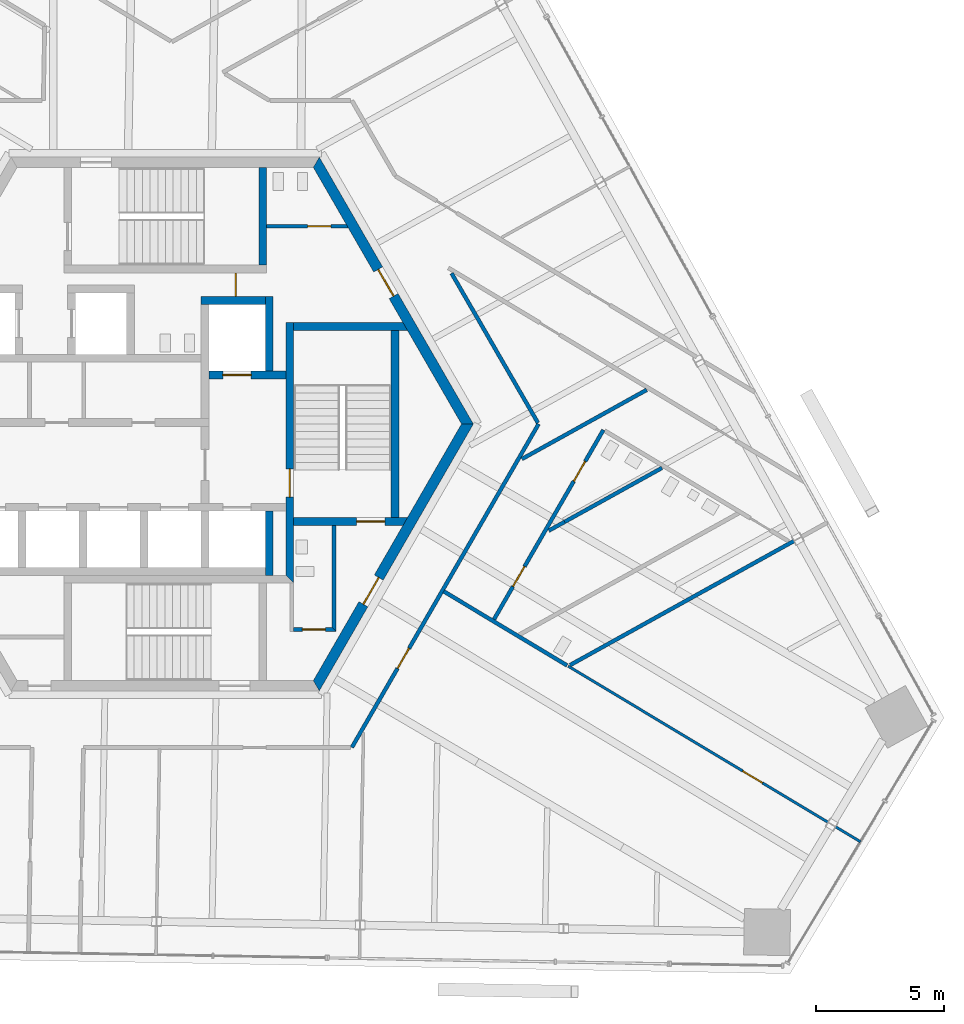
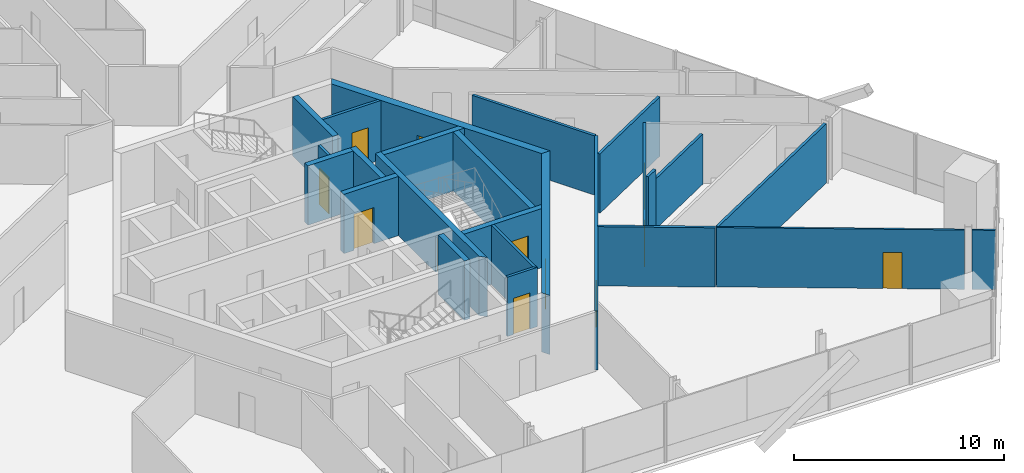
# One storey, part 13 of 19: 25 walls, 12 doors, 12 openings.
"""IFC4 building model written with IfcOpenShell, lengths in metres."""

from ifc_helpers import new_model, si_unit, direction, frame, frame_2d, origin, place, context, subcontext, project, spatial, polyline, rectangle, outline, extrude, source, transform, mapped, material, layer, layer_set, type_object, element, fill, save


model = new_model("IFC4")

# Units and contexts
model_context = context("Model", 3, precision=1e-05, world=origin(), true_north=direction((0.0, 1.0)))
body_context = subcontext(model_context, "Body", "Model", "MODEL_VIEW")
ifc_project = project(units=[si_unit("LENGTHUNIT", "METRE"), si_unit("AREAUNIT", "SQUARE_METRE"), si_unit("VOLUMEUNIT", "CUBIC_METRE"), si_unit("PLANEANGLEUNIT", "RADIAN"), si_unit("MASSUNIT", "GRAM", prefix="KILO")], contexts=[model_context])

# Site, building, storey
site_placement = place(None, origin())
site = spatial("IfcSite", under=ifc_project, at=site_placement, CompositionType="ELEMENT")
building_placement = place(site_placement, origin())
building = spatial("IfcBuilding", under=site, at=building_placement, Name="Triune Harvest Tower", CompositionType="ELEMENT")
storey_placement = place(building_placement, frame((0.0, 0.0, 205.10009765625)))
storey = spatial("IfcBuildingStorey", under=building, at=storey_placement, Name="L53", CompositionType="ELEMENT", Elevation=205.10009765625)

# Wall
ifc_material_1 = material(Name="Gypsum board on steel studs", Category="steel")
ifc_layer_1 = layer(ifc_material_1, 0.14990234375)
ifc_layer_set_1 = layer_set([ifc_layer_1], Name="Gypsum board on steel studs")
wall_type_1 = type_object("IfcWallType", Name="Fire Partition 150 mm", PredefinedType="PARTITIONING", material=ifc_layer_set_1)
wall_1_placement = place(storey_placement, frame((15.55712890625, -3.80908203125, 0.0), z_axis=(0.0, 0.0, 1.0), x_axis=(0.8746092269, 0.484828526617, 0.0)))
element("IfcWall", 1, at=wall_1_placement, inside=storey, type_object=wall_type_1, Name="Partition L53 028a", PredefinedType="PARTITIONING", context=body_context, shape_type="SweptSolid", body=[
    extrude(rectangle(XDim=4.328125, YDim=0.14990234375, at=frame_2d((2.1640625, 0.0))), origin(), (0.0, 0.0, 1.0), 2.90380859375),
])

# Wall, opening, door
ifc_material_2 = material(Name="Concrete 70 MPa", Category="concrete")
ifc_layer_2 = layer(ifc_material_2, 0.39990234375)
ifc_layer_set_2 = layer_set([ifc_layer_2], Name="Concrete 70 MPa")
wall_type_2 = type_object("IfcWallType", Name="Core wall 400", PredefinedType="SHEAR", material=ifc_layer_set_2)
shared_shape_1 = source(origin(), body_context, "Body", "SweptSolid", [
    extrude(outline(polyline([(-0.115478515625, -0.199951171875), (11.884521484375, -0.199951171875), (11.653564453125, 0.199951171875), (0.115478515625, 0.199951171875), (-0.115478515625, -0.199951171875)])), origin(), (0.0, 0.0, 1.0), 3.43994140625),
])
wall_2_placement = place(storey_placement, frame((11.76904296875, 0.0, 0.0), z_axis=(0.0, 0.0, 1.0), x_axis=(-0.499996592174, 0.866027371285, 0.0)))
wall_2 = element("IfcWall", 2, at=wall_2_placement, inside=storey, type_object=wall_type_2, Name="Hexagon 0 wall", PredefinedType="SHEAR", context=body_context, shape_type="MappedRepresentation", body=[
    mapped(shared_shape_1, transform((0.0, 0.0, 0.0), scale=1.0)),
])
opening_1_placement = place(wall_2_placement, frame((5.75048828125, 0.0, 0.0)))
opening_1 = element("IfcOpeningElement", 3, at=opening_1_placement, cuts=wall_2, Name="Opening CD-WCP", PredefinedType="OPENING", context=body_context, shape_type="SweptSolid", body=[
    extrude(rectangle(XDim=1.199951171875, YDim=2.10009765625, at=frame_2d((0.60009765625, 1.050048828125))), frame((0.0, 0.2099609375, 0.0), z_axis=(0.0, -1.0, 0.0), x_axis=(1.0, 0.0, 0.0)), (0.0, 0.0, 1.0), 0.419921875),
])
ifc_material_3 = material(Name="Steel S235", Category="steel")
door_type_1 = type_object("IfcDoorType", Name="Lobby door 1200 FD120", OperationType="SINGLE_SWING_LEFT", PredefinedType="DOOR", material=ifc_material_3)
door_1_placement = place(opening_1_placement, frame((1.199951171875, 0.0, 0.0), z_axis=(0.0, 0.0, 1.0), x_axis=(-1.0, 0.0, 0.0)))
door_1 = element("IfcDoor", 4, at=door_1_placement, inside=storey, type_object=door_type_1, Name="Door CD-WCP", OperationType="SINGLE_SWING_RIGHT", OverallHeight=2.10009765625, OverallWidth=1.199951171875, PredefinedType="DOOR", context=body_context, shape_type="SweptSolid", body=[
    extrude(rectangle(XDim=1.199951171875, YDim=2.10009765625, at=frame_2d((0.60009765625, 1.050048828125))), frame((0.0, 0.02490234375, 0.0), z_axis=(0.0, -1.0, 0.0), x_axis=(1.0, 0.0, 0.0)), (0.0, 0.0, 1.0), 0.050048828125),
])
fill(opening_1, door_1)

wall_3_placement = place(storey_placement, frame((5.884521484375, -10.1923828125, 0.0), z_axis=(0.0, 0.0, 1.0), x_axis=(0.499996592174, 0.866027371285, 0.0)))
wall_3 = element("IfcWall", 5, at=wall_3_placement, inside=storey, type_object=wall_type_2, Name="Hexagon 5 wall", PredefinedType="SHEAR", context=body_context, shape_type="MappedRepresentation", body=[
    mapped(shared_shape_1, transform((0.0, 0.0, 0.0), scale=1.0)),
])
opening_2_placement = place(wall_3_placement, frame((3.66455078125, 0.0, 0.0)))
opening_2 = element("IfcOpeningElement", 6, at=opening_2_placement, cuts=wall_3, Name="Opening CD-DP", PredefinedType="OPENING", context=body_context, shape_type="SweptSolid", body=[
    extrude(rectangle(XDim=1.199951171875, YDim=2.10009765625, at=frame_2d((0.60009765625, 1.050048828125))), frame((0.0, 0.2099609375, 0.0), z_axis=(0.0, -1.0, 0.0), x_axis=(1.0, 0.0, 0.0)), (0.0, 0.0, 1.0), 0.419921875),
])
ifc_material_4 = material(Name="Steel S235", Category="steel")
door_type_2 = type_object("IfcDoorType", Name="Stair door 1200 FD120", OperationType="SINGLE_SWING_LEFT", PredefinedType="DOOR", material=ifc_material_4)
door_2_placement = place(opening_2_placement, frame((1.199951171875, 0.0, 0.0), z_axis=(0.0, 0.0, 1.0), x_axis=(-1.0, 0.0, 0.0)))
door_2 = element("IfcDoor", 7, at=door_2_placement, inside=storey, type_object=door_type_2, Name="Door CD-DP", OperationType="SINGLE_SWING_RIGHT", OverallHeight=2.10009765625, OverallWidth=1.199951171875, PredefinedType="DOOR", context=body_context, shape_type="SweptSolid", body=[
    extrude(rectangle(XDim=1.199951171875, YDim=2.10009765625, at=frame_2d((0.60009765625, 1.050048828125))), frame((0.0, 0.02490234375, 0.0), z_axis=(0.0, -1.0, 0.0), x_axis=(1.0, 0.0, 0.0)), (0.0, 0.0, 1.0), 0.050048828125),
])
fill(opening_2, door_2)

# Walls
ifc_material_5 = material(Name="Concrete 70 MPa", Category="concrete")
ifc_layer_3 = layer(ifc_material_5, 0.300048828125)
ifc_layer_set_3 = layer_set([ifc_layer_3], Name="Concrete 70 MPa")
wall_type_3 = type_object("IfcWallType", Name="Core wall 300", PredefinedType="SHEAR", material=ifc_layer_set_3)
shared_shape_2 = source(origin(), body_context, "Body", "SweptSolid", [
    extrude(rectangle(XDim=2.5, YDim=0.300048828125, at=frame_2d((1.25, 0.0))), origin(), (0.0, 0.0, 1.0), 3.43994140625),
])
for number, where, z_axis, x_axis, name in (
    (8, (1.39990234375, 4.81005859375, 0.0), (0.0, 0.0, 1.0), (1.0, 0.0, 0.0), "Ff1 back wall"),
    (9, (4.050048828125, -5.889892578125, 0.0), (0.0, 0.0, 1.0), (0.0, 1.0, 0.0), "Ff2 east wall"),
):
    element("IfcWall", number, at=place(storey_placement, frame(where, z_axis=z_axis, x_axis=x_axis)), inside=storey, type_object=wall_type_3, Name=name, PredefinedType="SHEAR", context=body_context, shape_type="MappedRepresentation", body=[
        mapped(shared_shape_2, transform((0.0, 0.0, 0.0), scale=1.0)),
    ])

# Wall, opening, door
shared_shape_3 = source(origin(), body_context, "Body", "SweptSolid", [
    extrude(rectangle(XDim=3.0, YDim=0.300048828125, at=frame_2d((1.5, 0.0))), origin(), (0.0, 0.0, 1.0), 3.43994140625),
])
wall_4_placement = place(storey_placement, frame((1.699951171875, 1.909912109375, 0.0), z_axis=(0.0, 0.0, 1.0), x_axis=(1.0, 0.0, 0.0)))
wall_4 = element("IfcWall", 10, at=wall_4_placement, inside=storey, type_object=wall_type_3, Name="Ff1 front wall", PredefinedType="SHEAR", context=body_context, shape_type="MappedRepresentation", body=[
    mapped(shared_shape_3, transform((0.0, 0.0, 0.0), scale=1.0)),
])
opening_3_placement = place(wall_4_placement, frame((0.550048828125, 0.0, 0.0)))
opening_3 = element("IfcOpeningElement", 11, at=opening_3_placement, cuts=wall_4, Name="Opening LD-FF1-53", PredefinedType="OPENING", context=body_context, shape_type="SweptSolid", body=[
    extrude(rectangle(XDim=1.10009765625, YDim=2.10009765625, at=frame_2d((0.550048828125, 1.050048828125))), frame((0.0, 0.16015625, 0.0), z_axis=(0.0, -1.0, 0.0), x_axis=(1.0, 0.0, 0.0)), (0.0, 0.0, 1.0), 0.320068359375),
])
ifc_material_6 = material(Name="Stainless steel AISI 304", Category="steel")
door_type_3 = type_object("IfcDoorType", Name="Landing door 1100 x 2100", OperationType="DOUBLE_DOOR_SLIDING", PredefinedType="DOOR", material=ifc_material_6)
door_3_placement = place(opening_3_placement, origin())
door_3 = element("IfcDoor", 12, at=door_3_placement, inside=storey, type_object=door_type_3, Name="Door LD-FF1-53", OperationType="DOUBLE_DOOR_SLIDING", OverallHeight=2.10009765625, OverallWidth=1.10009765625, PredefinedType="DOOR", context=body_context, shape_type="SweptSolid", body=[
    extrude(rectangle(XDim=1.10009765625, YDim=2.10009765625, at=frame_2d((0.550048828125, 1.050048828125))), frame((0.0, 0.02490234375, 0.0), z_axis=(0.0, -1.0, 0.0), x_axis=(1.0, 0.0, 0.0)), (0.0, 0.0, 1.0), 0.050048828125),
])
fill(opening_3, door_3)

# Wall
shared_shape_4 = source(origin(), body_context, "Body", "SweptSolid", [
    extrude(rectangle(XDim=2.89990234375, YDim=0.300048828125, at=frame_2d((1.449951171875, 0.0))), origin(), (0.0, 0.0, 1.0), 3.43994140625),
])
wall_5_placement = place(storey_placement, frame((4.050048828125, 2.06005859375, 0.0), z_axis=(0.0, 0.0, 1.0), x_axis=(0.0, 1.0, 0.0)))
element("IfcWall", 13, at=wall_5_placement, inside=storey, type_object=wall_type_3, Name="Ff1 east wall", PredefinedType="SHEAR", context=body_context, shape_type="MappedRepresentation", body=[
    mapped(shared_shape_4, transform((0.0, 0.0, 0.0), scale=1.0)),
])

# Wall, opening, door
shared_shape_5 = source(origin(), body_context, "Body", "SweptSolid", [
    extrude(outline(polyline([(-0.14990234375, -0.14990234375), (9.989990234375, -0.14990234375), (9.989990234375, 0.14990234375), (0.14990234375, 0.14990234375), (-0.14990234375, -0.14990234375)])), origin(), (0.0, 0.0, 1.0), 3.43994140625),
])
wall_6_placement = place(storey_placement, frame((4.85009765625, -6.0400390625, 0.0), z_axis=(0.0, 0.0, 1.0), x_axis=(0.0, 1.0, 0.0)))
wall_6 = element("IfcWall", 14, at=wall_6_placement, inside=storey, type_object=wall_type_3, Name="Stair e west wall", PredefinedType="SHEAR", context=body_context, shape_type="MappedRepresentation", body=[
    mapped(shared_shape_5, transform((0.0, 0.0, 0.0), scale=1.0)),
])
opening_4_placement = place(wall_6_placement, frame((3.18994140625, 0.0, 0.0)))
opening_4 = element("IfcOpeningElement", 15, at=opening_4_placement, cuts=wall_6, Name="Opening CD-S3L", PredefinedType="OPENING", context=body_context, shape_type="SweptSolid", body=[
    extrude(rectangle(XDim=1.10009765625, YDim=2.10009765625, at=frame_2d((0.550048828125, 1.050048828125))), frame((0.0, 0.16015625, 0.0), z_axis=(0.0, -1.0, 0.0), x_axis=(1.0, 0.0, 0.0)), (0.0, 0.0, 1.0), 0.320068359375),
])
ifc_material_7 = material(Name="Steel S235", Category="steel")
door_type_4 = type_object("IfcDoorType", Name="Stair door 1100 FD120", OperationType="SINGLE_SWING_LEFT", PredefinedType="DOOR", material=ifc_material_7)
door_4_placement = place(opening_4_placement, frame((1.10009765625, 0.0, 0.0), z_axis=(0.0, 0.0, 1.0), x_axis=(-1.0, 0.0, 0.0)))
door_4 = element("IfcDoor", 16, at=door_4_placement, inside=storey, type_object=door_type_4, Name="Door CD-S3L", OperationType="SINGLE_SWING_RIGHT", OverallHeight=2.10009765625, OverallWidth=1.10009765625, PredefinedType="DOOR", context=body_context, shape_type="SweptSolid", body=[
    extrude(rectangle(XDim=1.10009765625, YDim=2.10009765625, at=frame_2d((0.550048828125, 1.050048828125))), frame((0.0, 0.02490234375, 0.0), z_axis=(0.0, -1.0, 0.0), x_axis=(1.0, 0.0, 0.0)), (0.0, 0.0, 1.0), 0.050048828125),
])
fill(opening_4, door_4)

# Wall
shared_shape_6 = source(origin(), body_context, "Body", "SweptSolid", [
    extrude(outline(polyline([(0.0, -0.14990234375), (0.0, 0.14990234375), (4.260009765625, 0.14990234375), (4.43310546875, -0.14990234375), (0.0, -0.14990234375)])), origin(), (0.0, 0.0, 1.0), 3.43994140625),
])
wall_7_placement = place(storey_placement, frame((5.0, 3.800048828125, 0.0), z_axis=(0.0, 0.0, 1.0), x_axis=(1.0, 0.0, 0.0)))
element("IfcWall", 17, at=wall_7_placement, inside=storey, type_object=wall_type_3, Name="Stair e north wall", PredefinedType="SHEAR", context=body_context, shape_type="MappedRepresentation", body=[
    mapped(shared_shape_6, transform((0.0, 0.0, 0.0), scale=1.0)),
])

# Wall, opening, door
shared_shape_7 = source(origin(), body_context, "Body", "SweptSolid", [
    extrude(outline(polyline([(0.0, -0.14990234375), (0.0, 0.14990234375), (4.43310546875, 0.14990234375), (4.260009765625, -0.14990234375), (0.0, -0.14990234375)])), origin(), (0.0, 0.0, 1.0), 3.43994140625),
])
wall_8_placement = place(storey_placement, frame((5.0, -3.800048828125, 0.0), z_axis=(0.0, 0.0, 1.0), x_axis=(1.0, 0.0, 0.0)))
wall_8 = element("IfcWall", 18, at=wall_8_placement, inside=storey, type_object=wall_type_3, Name="Stair e south wall", PredefinedType="SHEAR", context=body_context, shape_type="MappedRepresentation", body=[
    mapped(shared_shape_7, transform((0.0, 0.0, 0.0), scale=1.0)),
])
opening_5_placement = place(wall_8_placement, frame((2.449951171875, 0.0, 0.0)))
opening_5 = element("IfcOpeningElement", 19, at=opening_5_placement, cuts=wall_8, Name="Opening CD-S3D", PredefinedType="OPENING", context=body_context, shape_type="SweptSolid", body=[
    extrude(rectangle(XDim=1.10009765625, YDim=2.10009765625, at=frame_2d((0.550048828125, 1.050048828125))), frame((0.0, 0.16015625, 0.0), z_axis=(0.0, -1.0, 0.0), x_axis=(1.0, 0.0, 0.0)), (0.0, 0.0, 1.0), 0.320068359375),
])
door_5_placement = place(opening_5_placement, frame((1.10009765625, 0.0, 0.0), z_axis=(0.0, 0.0, 1.0), x_axis=(-1.0, 0.0, 0.0)))
door_5 = element("IfcDoor", 20, at=door_5_placement, inside=storey, type_object=door_type_4, Name="Door CD-S3D", OperationType="SINGLE_SWING_RIGHT", OverallHeight=2.10009765625, OverallWidth=1.10009765625, PredefinedType="DOOR", context=body_context, shape_type="SweptSolid", body=[
    extrude(rectangle(XDim=1.10009765625, YDim=2.10009765625, at=frame_2d((0.550048828125, 1.050048828125))), frame((0.0, 0.02490234375, 0.0), z_axis=(0.0, -1.0, 0.0), x_axis=(1.0, 0.0, 0.0)), (0.0, 0.0, 1.0), 0.050048828125),
])
fill(opening_5, door_5)

# Walls
shared_shape_8 = source(origin(), body_context, "Body", "SweptSolid", [
    extrude(rectangle(XDim=7.2998046875, YDim=0.300048828125, at=frame_2d((3.64990234375, 0.0))), origin(), (0.0, 0.0, 1.0), 3.43994140625),
])
wall_9_placement = place(storey_placement, frame((8.949951171875, -3.64990234375, 0.0), z_axis=(0.0, 0.0, 1.0), x_axis=(0.0, 1.0, 0.0)))
element("IfcWall", 21, at=wall_9_placement, inside=storey, type_object=wall_type_3, Name="Stair e east wall", PredefinedType="SHEAR", context=body_context, shape_type="MappedRepresentation", body=[
    mapped(shared_shape_8, transform((0.0, 0.0, 0.0), scale=1.0)),
])
shared_shape_9 = source(origin(), body_context, "Body", "SweptSolid", [
    extrude(outline(polyline([(0.0, -0.14990234375), (0.0, 0.14990234375), (3.80419921875, 0.14990234375), (3.80419921875, -0.14990234375), (0.0, -0.14990234375)])), origin(), (0.0, 0.0, 1.0), 3.43994140625),
])
wall_10_placement = place(storey_placement, frame((3.800048828125, 6.18994140625, 0.0), z_axis=(0.0, 0.0, 1.0), x_axis=(0.0, 1.0, 0.0)))
element("IfcWall", 22, at=wall_10_placement, inside=storey, type_object=wall_type_3, Name="Stair n east wall", PredefinedType="SHEAR", context=body_context, shape_type="MappedRepresentation", body=[
    mapped(shared_shape_9, transform((0.0, 0.0, 0.0), scale=1.0)),
])

# Wall, opening, door
ifc_material_8 = material(Name="Concrete masonry unit", Category="masonry")
ifc_layer_4 = layer(ifc_material_8, 0.14990234375)
ifc_layer_set_4 = layer_set([ifc_layer_4], Name="Concrete masonry unit")
wall_type_4 = type_object("IfcWallType", Name="Block partition 150 unrated", PredefinedType="PARTITIONING", material=ifc_layer_set_4)
shared_shape_10 = source(origin(), body_context, "Body", "SweptSolid", [
    extrude(outline(polyline([(0.0, -0.074951171875), (1.64990234375, -0.074951171875), (1.5, 0.074951171875), (0.0, 0.074951171875), (0.0, -0.074951171875)])), origin(), (0.0, 0.0, 1.0), 3.43994140625),
])
wall_11_placement = place(storey_placement, frame((5.0, -8.0, 0.0), z_axis=(0.0, 0.0, 1.0), x_axis=(1.0, 0.0, 0.0)))
wall_11 = element("IfcWall", 23, at=wall_11_placement, inside=storey, type_object=wall_type_4, Name="Wc acc south wall", PredefinedType="PARTITIONING", context=body_context, shape_type="MappedRepresentation", body=[
    mapped(shared_shape_10, transform((0.0, 0.0, 0.0), scale=1.0)),
])
opening_6_placement = place(wall_11_placement, frame((0.33740234375, 0.0, 0.0)))
opening_6 = element("IfcOpeningElement", 24, at=opening_6_placement, cuts=wall_11, Name="Opening CD-WA", PredefinedType="OPENING", context=body_context, shape_type="SweptSolid", body=[
    extrude(rectangle(XDim=0.89990234375, YDim=2.10009765625, at=frame_2d((0.449951171875, 1.050048828125))), frame((0.0, 0.0849609375, 0.0), z_axis=(0.0, -1.0, 0.0), x_axis=(1.0, 0.0, 0.0)), (0.0, 0.0, 1.0), 0.169921875),
])
ifc_material_9 = material(Name="Timber C24", Category="wood")
door_type_5 = type_object("IfcDoorType", Name="WC door 900", OperationType="SINGLE_SWING_LEFT", PredefinedType="DOOR", material=ifc_material_9)
door_6_placement = place(opening_6_placement, origin())
door_6 = element("IfcDoor", 25, at=door_6_placement, inside=storey, type_object=door_type_5, Name="Door CD-WA", OperationType="SINGLE_SWING_LEFT", OverallHeight=2.10009765625, OverallWidth=0.89990234375, PredefinedType="DOOR", context=body_context, shape_type="SweptSolid", body=[
    extrude(rectangle(XDim=0.89990234375, YDim=2.10009765625, at=frame_2d((0.449951171875, 1.050048828125))), frame((0.0, 0.02490234375, 0.0), z_axis=(0.0, -1.0, 0.0), x_axis=(1.0, 0.0, 0.0)), (0.0, 0.0, 1.0), 0.050048828125),
])
fill(opening_6, door_6)

# Wall
shared_shape_11 = source(origin(), body_context, "Body", "SweptSolid", [
    extrude(outline(polyline([(-0.074951171875, -0.074951171875), (4.050048828125, -0.074951171875), (4.050048828125, 0.074951171875), (0.074951171875, 0.074951171875), (-0.074951171875, -0.074951171875)])), origin(), (0.0, 0.0, 1.0), 3.43994140625),
])
wall_12_placement = place(storey_placement, frame((6.574951171875, -8.0, 0.0), z_axis=(0.0, 0.0, 1.0), x_axis=(0.0, 1.0, 0.0)))
element("IfcWall", 26, at=wall_12_placement, inside=storey, type_object=wall_type_4, Name="Wc acc east wall", PredefinedType="PARTITIONING", context=body_context, shape_type="MappedRepresentation", body=[
    mapped(shared_shape_11, transform((0.0, 0.0, 0.0), scale=1.0)),
])

# Wall, opening, door
shared_shape_12 = source(origin(), body_context, "Body", "SweptSolid", [
    extrude(outline(polyline([(0.0, -0.074951171875), (0.0, 0.074951171875), (3.1015625, 0.074951171875), (3.18798828125, -0.074951171875), (0.0, -0.074951171875)])), origin(), (0.0, 0.0, 1.0), 3.43994140625),
])
wall_13_placement = place(storey_placement, frame((3.949951171875, 7.699951171875, 0.0), z_axis=(0.0, 0.0, 1.0), x_axis=(1.0, 0.0, 0.0)))
wall_13 = element("IfcWall", 27, at=wall_13_placement, inside=storey, type_object=wall_type_4, Name="Wc women south wall", PredefinedType="PARTITIONING", context=body_context, shape_type="MappedRepresentation", body=[
    mapped(shared_shape_12, transform((0.0, 0.0, 0.0), scale=1.0)),
])
opening_7_placement = place(wall_13_placement, frame((1.60009765625, 0.0, 0.0)))
opening_7 = element("IfcOpeningElement", 28, at=opening_7_placement, cuts=wall_13, Name="Opening CD-WW", PredefinedType="OPENING", context=body_context, shape_type="SweptSolid", body=[
    extrude(rectangle(XDim=0.89990234375, YDim=2.10009765625, at=frame_2d((0.449951171875, 1.050048828125))), frame((0.0, 0.0849609375, 0.0), z_axis=(0.0, -1.0, 0.0), x_axis=(1.0, 0.0, 0.0)), (0.0, 0.0, 1.0), 0.169921875),
])
door_7_placement = place(opening_7_placement, origin())
door_7 = element("IfcDoor", 29, at=door_7_placement, inside=storey, type_object=door_type_5, Name="Door CD-WW", OperationType="SINGLE_SWING_LEFT", OverallHeight=2.10009765625, OverallWidth=0.89990234375, PredefinedType="DOOR", context=body_context, shape_type="SweptSolid", body=[
    extrude(rectangle(XDim=0.89990234375, YDim=2.10009765625, at=frame_2d((0.449951171875, 1.050048828125))), frame((0.0, 0.02490234375, 0.0), z_axis=(0.0, -1.0, 0.0), x_axis=(1.0, 0.0, 0.0)), (0.0, 0.0, 1.0), 0.050048828125),
])
fill(opening_7, door_7)

shared_shape_13 = source(origin(), body_context, "Body", "SweptSolid", [
    extrude(rectangle(XDim=0.929931640625, YDim=0.14990234375, at=frame_2d((0.46484375, 0.0))), origin(), (0.0, 0.0, 1.0), 3.43994140625),
])
wall_14_placement = place(storey_placement, frame((2.75, 4.9599609375, 0.0), z_axis=(0.0, 0.0, 1.0), x_axis=(0.0, 1.0, 0.0)))
wall_14 = element("IfcWall", 30, at=wall_14_placement, inside=storey, type_object=wall_type_4, Name="Wc men east b wall", PredefinedType="PARTITIONING", context=body_context, shape_type="MappedRepresentation", body=[
    mapped(shared_shape_13, transform((0.0, 0.0, 0.0), scale=1.0)),
])
opening_8_placement = place(wall_14_placement, frame((0.014892578125, 0.0, 0.0)))
opening_8 = element("IfcOpeningElement", 31, at=opening_8_placement, cuts=wall_14, Name="Opening CD-WM", PredefinedType="OPENING", context=body_context, shape_type="SweptSolid", body=[
    extrude(rectangle(XDim=0.89990234375, YDim=2.10009765625, at=frame_2d((0.449951171875, 1.050048828125))), frame((0.0, 0.0849609375, 0.0), z_axis=(0.0, -1.0, 0.0), x_axis=(1.0, 0.0, 0.0)), (0.0, 0.0, 1.0), 0.169921875),
])
door_8_placement = place(opening_8_placement, origin())
door_8 = element("IfcDoor", 32, at=door_8_placement, inside=storey, type_object=door_type_5, Name="Door CD-WM", OperationType="SINGLE_SWING_LEFT", OverallHeight=2.10009765625, OverallWidth=0.89990234375, PredefinedType="DOOR", context=body_context, shape_type="SweptSolid", body=[
    extrude(rectangle(XDim=0.89990234375, YDim=2.10009765625, at=frame_2d((0.449951171875, 1.050048828125))), frame((0.0, 0.02490234375, 0.0), z_axis=(0.0, -1.0, 0.0), x_axis=(1.0, 0.0, 0.0)), (0.0, 0.0, 1.0), 0.050048828125),
])
fill(opening_8, door_8)

# Walls
ifc_material_10 = material(Name="Gypsum board on steel studs", Category="steel")
ifc_layer_5 = layer(ifc_material_10, 0.10009765625)
ifc_layer_set_5 = layer_set([ifc_layer_5], Name="Gypsum board on steel studs")
wall_type_5 = type_object("IfcWallType", Name="Partition 100 mm", PredefinedType="PARTITIONING", material=ifc_layer_set_5)
shared_shape_14 = source(origin(), body_context, "Body", "SweptSolid", [
    extrude(rectangle(XDim=1.130615234375, YDim=0.10009765625, at=frame_2d((0.5654296875, 0.0))), origin(), (0.0, 0.0, 1.0), 3.43994140625),
])
wall_15_placement = place(storey_placement, frame((26.1044921875, -15.685302734375, 0.0), z_axis=(0.0, 0.0, 1.0), x_axis=(0.857207015423, -0.514971972742, 0.0)))
element("IfcWall", 33, at=wall_15_placement, inside=storey, type_object=wall_type_5, Name="Partition L53 007", PredefinedType="PARTITIONING", context=body_context, shape_type="MappedRepresentation", body=[
    mapped(shared_shape_14, transform((0.0, 0.0, 0.0), scale=1.0)),
])
shared_shape_15 = source(origin(), body_context, "Body", "SweptSolid", [
    extrude(rectangle(XDim=6.727294921875, YDim=0.14990234375, at=frame_2d((3.36376953125, 0.0))), origin(), (0.0, 0.0, 1.0), 3.43994140625),
])
wall_16_placement = place(storey_placement, frame((11.151611328125, 5.869140625, 0.0), z_axis=(0.0, 0.0, 1.0), x_axis=(0.500018794853, -0.866014552299, 0.0)))
element("IfcWall", 34, at=wall_16_placement, inside=storey, type_object=wall_type_1, Name="Partition L53 004", PredefinedType="PARTITIONING", context=body_context, shape_type="MappedRepresentation", body=[
    mapped(shared_shape_15, transform((0.0, 0.0, 0.0), scale=1.0)),
])
shared_shape_16 = source(origin(), body_context, "Body", "SweptSolid", [
    extrude(rectangle(XDim=5.60302734375, YDim=0.14990234375, at=frame_2d((2.801513671875, 0.0))), origin(), (0.0, 0.0, 1.0), 3.43994140625),
])
wall_17_placement = place(storey_placement, frame((10.8466796875, -6.517333984375, 0.0), z_axis=(0.0, 0.0, 1.0), x_axis=(0.857169803297, -0.51503390987, 0.0)))
element("IfcWall", 35, at=wall_17_placement, inside=storey, type_object=wall_type_1, Name="Partition L53 005", PredefinedType="PARTITIONING", context=body_context, shape_type="MappedRepresentation", body=[
    mapped(shared_shape_16, transform((0.0, 0.0, 0.0), scale=1.0)),
])

# Wall, opening, door
shared_shape_17 = source(origin(), body_context, "Body", "SweptSolid", [
    extrude(rectangle(XDim=11.803955078125, YDim=0.10009765625, at=frame_2d((5.90185546875, 0.0))), origin(), (0.0, 0.0, 1.0), 3.43994140625),
])
wall_18_placement = place(storey_placement, frame((15.6923828125, -9.428955078125, 0.0), z_axis=(0.0, 0.0, 1.0), x_axis=(0.857162430519, -0.51504618017, 0.0)))
wall_18 = element("IfcWall", 36, at=wall_18_placement, inside=storey, type_object=wall_type_5, Name="Partition L53 006", PredefinedType="PARTITIONING", context=body_context, shape_type="MappedRepresentation", body=[
    mapped(shared_shape_17, transform((0.0, 0.0, 0.0), scale=1.0)),
])
opening_9_placement = place(wall_18_placement, frame((7.927978515625, 0.0, 0.0)))
opening_9 = element("IfcOpeningElement", 37, at=opening_9_placement, cuts=wall_18, Name="Opening L53-022", PredefinedType="OPENING", context=body_context, shape_type="SweptSolid", body=[
    extrude(rectangle(XDim=0.89990234375, YDim=2.10009765625, at=frame_2d((0.449951171875, 1.050048828125))), frame((0.0, 0.06005859375, 0.0), z_axis=(0.0, -1.0, 0.0), x_axis=(1.0, 0.0, 0.0)), (0.0, 0.0, 1.0), 0.1201171875),
])
ifc_material_11 = material(Name="Timber and steel door set", Category="steel")
door_type_6 = type_object("IfcDoorType", Name="Single leaf door right hand 900 x 2100", OperationType="SINGLE_SWING_RIGHT", PredefinedType="DOOR", material=ifc_material_11)
door_9_placement = place(opening_9_placement, origin())
door_9 = element("IfcDoor", 38, at=door_9_placement, inside=storey, type_object=door_type_6, Name="Door L53-022 Reception 53.22", OperationType="SINGLE_SWING_RIGHT", OverallHeight=2.10009765625, OverallWidth=0.89990234375, PredefinedType="DOOR", context=body_context, shape_type="SweptSolid", body=[
    extrude(rectangle(XDim=0.89990234375, YDim=2.10009765625, at=frame_2d((0.449951171875, 1.050048828125))), frame((0.0, 0.02490234375, 0.0), z_axis=(0.0, -1.0, 0.0), x_axis=(1.0, 0.0, 0.0)), (0.0, 0.0, 1.0), 0.050048828125),
])
fill(opening_9, door_9)

# Walls
shared_shape_18 = source(origin(), body_context, "Body", "SweptSolid", [
    extrude(rectangle(XDim=9.9697265625, YDim=0.14990234375, at=frame_2d((4.98486328125, 0.0))), origin(), (0.0, 0.0, 1.0), 3.43994140625),
])
wall_19_placement = place(storey_placement, frame((15.76220703125, -9.39013671875, 0.0), z_axis=(0.0, 0.0, 1.0), x_axis=(0.874616613675, 0.484815200962, 0.0)))
element("IfcWall", 39, at=wall_19_placement, inside=storey, type_object=wall_type_1, Name="Partition L53 025", PredefinedType="PARTITIONING", context=body_context, shape_type="MappedRepresentation", body=[
    mapped(shared_shape_18, transform((0.0, 0.0, 0.0), scale=1.0)),
])
shared_shape_19 = source(origin(), body_context, "Body", "SweptSolid", [
    extrude(rectangle(XDim=0.7119140625, YDim=0.14990234375, at=frame_2d((0.35595703125, 0.0))), origin(), (0.0, 0.0, 1.0), 3.43994140625),
])
wall_20_placement = place(storey_placement, frame((14.9345703125, -4.154296875, 0.0), z_axis=(0.0, 0.0, 1.0), x_axis=(0.874545252148, 0.484943916289, 0.0)))
element("IfcWall", 40, at=wall_20_placement, inside=storey, type_object=wall_type_1, Name="Partition L53 028", PredefinedType="PARTITIONING", context=body_context, shape_type="MappedRepresentation", body=[
    mapped(shared_shape_19, transform((0.0, 0.0, 0.0), scale=1.0)),
])
shared_shape_20 = source(origin(), body_context, "Body", "SweptSolid", [
    extrude(rectangle(XDim=5.556396484375, YDim=0.14990234375, at=frame_2d((2.7783203125, 0.0))), origin(), (0.0, 0.0, 1.0), 3.43994140625),
])
wall_21_placement = place(storey_placement, frame((13.88916015625, -1.36474609375, 0.0), z_axis=(0.0, 0.0, 1.0), x_axis=(0.874610795067, 0.484825697702, 0.0)))
element("IfcWall", 41, at=wall_21_placement, inside=storey, type_object=wall_type_1, Name="Partition L53 029", PredefinedType="PARTITIONING", context=body_context, shape_type="MappedRepresentation", body=[
    mapped(shared_shape_20, transform((0.0, 0.0, 0.0), scale=1.0)),
])

# Wall, openings, doors
shared_shape_21 = source(origin(), body_context, "Body", "SweptSolid", [
    extrude(rectangle(XDim=8.59228515625, YDim=0.14990234375, at=frame_2d((4.296142578125, 0.0))), origin(), (0.0, 0.0, 1.0), 3.43994140625),
])
wall_22_placement = place(storey_placement, frame((12.76708984375, -7.67138671875, 0.0), z_axis=(0.0, 0.0, 1.0), x_axis=(0.499998745784, 0.866026127905, 0.0)))
wall_22 = element("IfcWall", 42, at=wall_22_placement, inside=storey, type_object=wall_type_1, Name="Partition L53 040", PredefinedType="PARTITIONING", context=body_context, shape_type="MappedRepresentation", body=[
    mapped(shared_shape_21, transform((0.0, 0.0, 0.0), scale=1.0)),
])
opening_10_placement = place(wall_22_placement, frame((1.550048828125, 0.0, 0.0)))
opening_10 = element("IfcOpeningElement", 43, at=opening_10_placement, cuts=wall_22, Name="Opening L53-003", PredefinedType="OPENING", context=body_context, shape_type="SweptSolid", body=[
    extrude(rectangle(XDim=0.89990234375, YDim=2.10009765625, at=frame_2d((0.449951171875, 1.050048828125))), frame((0.0, 0.0849609375, 0.0), z_axis=(0.0, -1.0, 0.0), x_axis=(1.0, 0.0, 0.0)), (0.0, 0.0, 1.0), 0.169921875),
])
opening_11_placement = place(wall_22_placement, frame((6.282470703125, 0.0, 0.0)))
opening_11 = element("IfcOpeningElement", 44, at=opening_11_placement, cuts=wall_22, Name="Opening L53-004", PredefinedType="OPENING", context=body_context, shape_type="SweptSolid", body=[
    extrude(rectangle(XDim=0.89990234375, YDim=2.10009765625, at=frame_2d((0.449951171875, 1.050048828125))), frame((0.0, 0.0849609375, 0.0), z_axis=(0.0, -1.0, 0.0), x_axis=(1.0, 0.0, 0.0)), (0.0, 0.0, 1.0), 0.169921875),
])
ifc_material_12 = material(Name="Timber and steel door set", Category="steel")
door_type_7 = type_object("IfcDoorType", Name="Single leaf door FD30 left hand 900 x 2100", OperationType="SINGLE_SWING_LEFT", PredefinedType="DOOR", material=ifc_material_12)
door_10_placement = place(opening_11_placement, origin())
door_10 = element("IfcDoor", 45, at=door_10_placement, inside=storey, type_object=door_type_7, Name="Door L53-004 Accessible WC 53.04", OperationType="SINGLE_SWING_LEFT", OverallHeight=2.10009765625, OverallWidth=0.89990234375, PredefinedType="DOOR", context=body_context, shape_type="SweptSolid", body=[
    extrude(rectangle(XDim=0.89990234375, YDim=2.10009765625, at=frame_2d((0.449951171875, 1.050048828125))), frame((0.0, 0.02490234375, 0.0), z_axis=(0.0, -1.0, 0.0), x_axis=(1.0, 0.0, 0.0)), (0.0, 0.0, 1.0), 0.050048828125),
])
fill(opening_11, door_10)
ifc_material_13 = material(Name="Timber and steel door set", Category="steel")
door_type_8 = type_object("IfcDoorType", Name="Single leaf door FD30 right hand 900 x 2100", OperationType="SINGLE_SWING_RIGHT", PredefinedType="DOOR", material=ifc_material_13)
door_11_placement = place(opening_10_placement, origin())
door_11 = element("IfcDoor", 46, at=door_11_placement, inside=storey, type_object=door_type_8, Name="Door L53-003 Men's WC 53.03", OperationType="SINGLE_SWING_RIGHT", OverallHeight=2.10009765625, OverallWidth=0.89990234375, PredefinedType="DOOR", context=body_context, shape_type="SweptSolid", body=[
    extrude(rectangle(XDim=0.89990234375, YDim=2.10009765625, at=frame_2d((0.449951171875, 1.050048828125))), frame((0.0, 0.02490234375, 0.0), z_axis=(0.0, -1.0, 0.0), x_axis=(1.0, 0.0, 0.0)), (0.0, 0.0, 1.0), 0.050048828125),
])
fill(opening_10, door_11)

# Wall, opening, door
shared_shape_22 = source(origin(), body_context, "Body", "SweptSolid", [
    extrude(rectangle(XDim=14.5400390625, YDim=0.14990234375, at=frame_2d((7.27001953125, 0.0))), origin(), (0.0, 0.0, 1.0), 3.43994140625),
])
wall_23_placement = place(storey_placement, frame((7.270263671875, -12.592041015625, 0.0), z_axis=(0.0, 0.0, 1.0), x_axis=(0.500000065057, 0.866025366224, 0.0)))
wall_23 = element("IfcWall", 47, at=wall_23_placement, inside=storey, type_object=wall_type_1, Name="Partition L53 041", PredefinedType="PARTITIONING", context=body_context, shape_type="MappedRepresentation", body=[
    mapped(shared_shape_22, transform((0.0, 0.0, 0.0), scale=1.0)),
])
opening_12_placement = place(wall_23_placement, frame((3.55419921875, 0.0, 0.0)))
opening_12 = element("IfcOpeningElement", 48, at=opening_12_placement, cuts=wall_23, Name="Opening L53-021", PredefinedType="OPENING", context=body_context, shape_type="SweptSolid", body=[
    extrude(rectangle(XDim=0.89990234375, YDim=2.10009765625, at=frame_2d((0.449951171875, 1.050048828125))), frame((0.0, 0.0849609375, 0.0), z_axis=(0.0, -1.0, 0.0), x_axis=(1.0, 0.0, 0.0)), (0.0, 0.0, 1.0), 0.169921875),
])
door_12_placement = place(opening_12_placement, origin())
door_12 = element("IfcDoor", 49, at=door_12_placement, inside=storey, type_object=door_type_8, Name="Door L53-021 Office 53.21", OperationType="SINGLE_SWING_RIGHT", OverallHeight=2.10009765625, OverallWidth=0.89990234375, PredefinedType="DOOR", context=body_context, shape_type="SweptSolid", body=[
    extrude(rectangle(XDim=0.89990234375, YDim=2.10009765625, at=frame_2d((0.449951171875, 1.050048828125))), frame((0.0, 0.02490234375, 0.0), z_axis=(0.0, -1.0, 0.0), x_axis=(1.0, 0.0, 0.0)), (0.0, 0.0, 1.0), 0.050048828125),
])
fill(opening_12, door_12)

save(model, "model.ifc")
